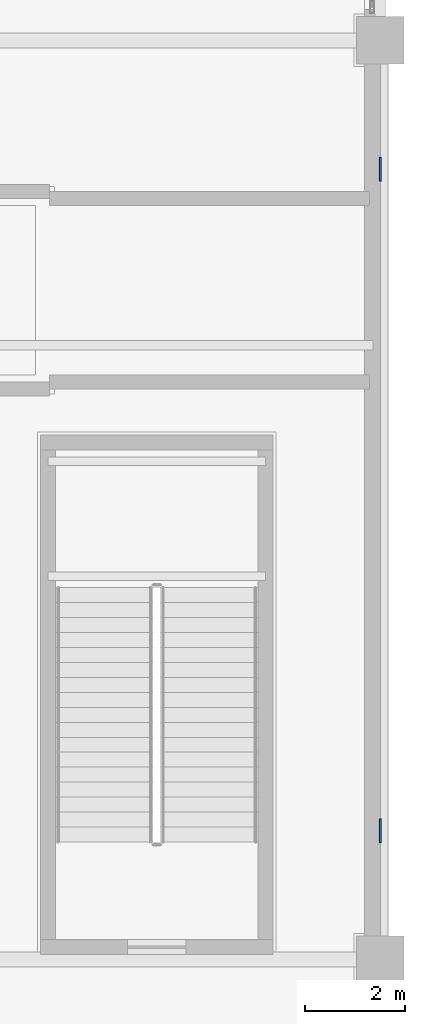
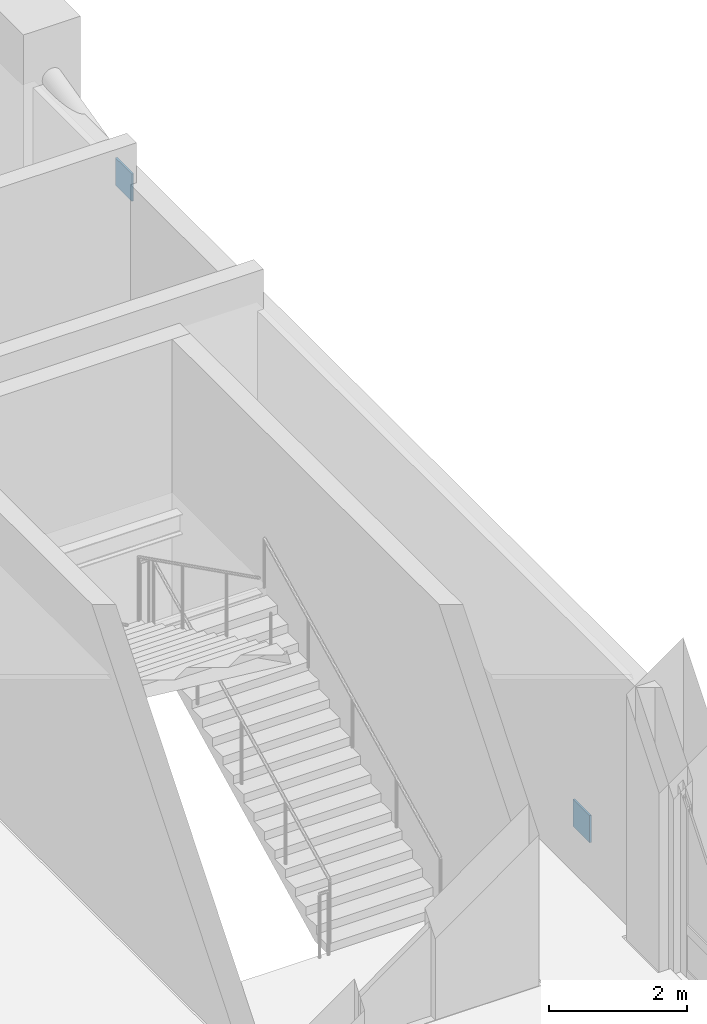
# One storey, part 26 of 39: 2 plates.
"""IFC4 building model written with IfcOpenShell, lengths in metres."""

import ifcopenshell
import ifcopenshell.guid

model = None  # the IFC model being written
_history = None  # IfcOwnerHistory: only IFC2X3 demands one
_inside = {}  # id of a spatial element -> (the spatial element, [elements in it])
_under = {}  # id of a project, library or spatial element -> (it, [spatial elements below it])
_declared = {}  # id of a project -> (the project, [libraries it declares])
_typed = {}  # id of a type object -> (the type object, [elements of that type])
_made_of = {}  # id of a material, layer set ... -> (it, [elements and type objects made of it])


def new_model(schema):
    """Start an empty IFC model of exactly this schema.

    Asked for "IFC4X3", IfcOpenShell would pick the latest addendum, in which some entities
    have other attributes; the version numbers below select the first issue.
    IFC2X3 requires an IfcOwnerHistory on every rooted entity: one is made here for all.
    """
    global model, _history
    if schema == "IFC4X3":
        model = ifcopenshell.file(schema_version=(4, 3, 0, 0))
    else:
        model = ifcopenshell.file(schema=schema)
    _inside.clear()
    _under.clear()
    _declared.clear()
    _typed.clear()
    _made_of.clear()
    _history = None
    if model.schema == "IFC2X3":
        org = make("IfcOrganization", Name="unknown")
        user = make(
            "IfcPersonAndOrganization",
            ThePerson=make("IfcPerson", FamilyName="unknown"),
            TheOrganization=org,
        )
        app = make(
            "IfcApplication",
            ApplicationDeveloper=org,
            Version="unknown",
            ApplicationFullName="unknown",
            ApplicationIdentifier="unknown",
        )
        _history = make(
            "IfcOwnerHistory",
            OwningUser=user,
            OwningApplication=app,
            ChangeAction="ADDED",
            CreationDate=0,
        )
    return model


def make(cls, **values):
    """One entity of the class cls with the attributes given. An attribute that is None is left unset."""
    return model.create_entity(
        cls, **{name: value for name, value in values.items() if value is not None}
    )


def rooted(cls, **values):
    """An entity with a GlobalId (a new one), such as an element, a storey or a relation."""
    return make(cls, GlobalId=ifcopenshell.guid.new(), OwnerHistory=_history, **values)


def si_unit(unit_type, name, prefix=None):
    """IfcSIUnit, for example si_unit("LENGTHUNIT", "METRE", prefix="MILLI")."""
    return make("IfcSIUnit", UnitType=unit_type, Prefix=prefix, Name=name)


def assignment(units):
    """IfcUnitAssignment: the units of a project."""
    return None if units is None else make("IfcUnitAssignment", Units=units)


def point(xyz):
    """IfcCartesianPoint."""
    return None if xyz is None else make("IfcCartesianPoint", Coordinates=xyz)


def direction(xyz):
    """IfcDirection."""
    return None if xyz is None else make("IfcDirection", DirectionRatios=xyz)


def frame(location, z_axis=None, x_axis=None):
    """IfcAxis2Placement3D, a coordinate frame: its origin and axes. An axis left out is left unset."""
    return make(
        "IfcAxis2Placement3D",
        Location=point(location),
        Axis=direction(z_axis),
        RefDirection=direction(x_axis),
    )


def frame_2d(location, x_axis=None):
    """IfcAxis2Placement2D, a coordinate frame in the plane: its origin and x axis."""
    return make(
        "IfcAxis2Placement2D", Location=point(location), RefDirection=direction(x_axis)
    )


def origin():
    """The frame at (0, 0, 0) with its axes left unset."""
    return frame((0.0, 0.0, 0.0))


def origin_2d():
    """The frame at (0, 0) in the plane with its x axis left unset."""
    return frame_2d((0.0, 0.0))


def place(relative_to, where):
    """IfcLocalPlacement: puts the frame where relative to a parent placement (None: the world)."""
    return make(
        "IfcLocalPlacement", PlacementRelTo=relative_to, RelativePlacement=where
    )


def context(
    kind, dimensions, precision=None, world=None, true_north=None, identifier=None
):
    """IfcGeometricRepresentationContext, for example the 3D "Model" context."""
    return make(
        "IfcGeometricRepresentationContext",
        ContextIdentifier=identifier,
        ContextType=kind,
        CoordinateSpaceDimension=dimensions,
        Precision=precision,
        WorldCoordinateSystem=world,
        TrueNorth=true_north,
    )


def subcontext(parent, identifier, kind, view, scale=None):
    """IfcGeometricRepresentationSubContext, for example "Body" below "Model"."""
    return make(
        "IfcGeometricRepresentationSubContext",
        ContextIdentifier=identifier,
        ContextType=kind,
        ParentContext=parent,
        TargetScale=scale,
        TargetView=view,
    )


def project(units=None, contexts=None):
    """IfcProject with its units and contexts."""
    return rooted(
        "IfcProject",
        Name="project",
        RepresentationContexts=contexts,
        UnitsInContext=assignment(units),
    )


def spatial(cls, under=None, at=None, **own):
    """A site, building, storey or space (cls), placed at a placement, below another one or the project."""
    s = rooted(cls, ObjectPlacement=at, **own)
    if under is not None:
        _under.setdefault(under.id(), (under, []))[1].append(s)
    return s


def profile(cls, at=None, kind="AREA", **sizes):
    """A parametric profile (cls). Its sizes go by their IFC names, for example OverallWidth=200.0."""
    return make(cls, ProfileType=kind, Position=at, **sizes)


def rectangle(**sizes):
    """IfcRectangleProfileDef."""
    return profile("IfcRectangleProfileDef", **sizes)


def extrude(swept, where, along, depth):
    """IfcExtrudedAreaSolid: the profile swept, set in the frame where, extruded along a direction by depth."""
    return make(
        "IfcExtrudedAreaSolid",
        SweptArea=swept,
        Position=where,
        ExtrudedDirection=direction(along),
        Depth=depth,
    )


def shape(context_of_items, identifier, shape_type, items):
    """IfcShapeRepresentation: the items that make up one representation, for example the "Body"."""
    return make(
        "IfcShapeRepresentation",
        ContextOfItems=context_of_items,
        RepresentationIdentifier=identifier,
        RepresentationType=shape_type,
        Items=items,
    )


def material(Name=None, Category=None):
    """IfcMaterial."""
    return make("IfcMaterial", Name=Name, Category=Category)


def layer(
    of_material, thickness, ventilated=None, Name=None, Category=None, Priority=None
):
    """IfcMaterialLayer: one layer of a wall or slab, of a material (None: an air gap)."""
    return make(
        "IfcMaterialLayer",
        Material=of_material,
        LayerThickness=thickness,
        IsVentilated=ventilated,
        Name=Name,
        Category=Category,
        Priority=Priority,
    )


def layer_set(layers, Name=None):
    """IfcMaterialLayerSet."""
    return make("IfcMaterialLayerSet", MaterialLayers=layers, LayerSetName=Name)


def made_of(thing, what):
    """Note that an element or type object is made of a material, layer set ...; save() writes the relation."""
    if what is not None:
        _made_of.setdefault(what.id(), (what, []))[1].append(thing)
    return thing


def type_object(cls, material=None, **own):
    """A type object (cls), such as IfcWallType, which elements share."""
    return made_of(rooted(cls, **own), material)


def element(
    cls,
    number,
    at=None,
    inside=None,
    cuts=None,
    type_object=None,
    material=None,
    context=None,
    identifier="Body",
    shape_type=None,
    held_by="IfcProductDefinitionShape",
    body=None,
    shapes=None,
    **own,
):
    """One element of the class cls, such as IfcWall. Its Tag is "e" and its number.

    at: its placement. inside: the storey or other place that contains it. cuts: it is an
    opening in that element (IfcRelVoidsElement). A single representation is given by context,
    identifier, shape_type and body (its items); several are given by shapes. held_by: the class
    of the entity that holds the representations. save() writes the other relations.
    """
    e = rooted(cls, Tag="e%d" % number, ObjectPlacement=at, **own)
    if body is not None:
        shapes = [shape(context, identifier, shape_type, body)]
    if shapes is not None:
        e.Representation = make(held_by, Representations=shapes)
    if inside is not None:
        _inside.setdefault(inside.id(), (inside, []))[1].append(e)
    if cuts is not None:
        rooted(
            "IfcRelVoidsElement", RelatingBuildingElement=cuts, RelatedOpeningElement=e
        )
    if type_object is not None:
        _typed.setdefault(type_object.id(), (type_object, []))[1].append(e)
    return made_of(e, material)


def aggregate(whole, parts):
    """IfcRelAggregates: a whole, such as a stair, and the parts it consists of."""
    return rooted("IfcRelAggregates", RelatingObject=whole, RelatedObjects=parts)


def save(model, path):
    """Write the relations noted so far, then the file.

    IfcRelAggregates (storeys below a building ...), IfcRelContainedInSpatialStructure (elements
    in a storey), IfcRelDefinesByType, IfcRelAssociatesMaterial and IfcRelDeclares: one each for
    every whole, place, type object, material and project.
    """
    for whole, parts in _under.values():
        aggregate(whole, parts)
    for where, things in _inside.values():
        rooted(
            "IfcRelContainedInSpatialStructure",
            RelatedElements=things,
            RelatingStructure=where,
        )
    for kind, things in _typed.values():
        rooted("IfcRelDefinesByType", RelatedObjects=things, RelatingType=kind)
    for what, things in _made_of.values():
        rooted("IfcRelAssociatesMaterial", RelatedObjects=things, RelatingMaterial=what)
    for by, libraries in _declared.values():
        rooted("IfcRelDeclares", RelatingContext=by, RelatedDefinitions=libraries)
    model.write(path)


model = new_model("IFC4")

# Units and contexts
model_context = context("Model", 3, precision=1e-05, world=origin(), true_north=direction((0.0, 1.0)))
body_context = subcontext(model_context, "Body", "Model", "MODEL_VIEW")
ifc_project = project(units=[si_unit("LENGTHUNIT", "METRE"), si_unit("AREAUNIT", "SQUARE_METRE"), si_unit("VOLUMEUNIT", "CUBIC_METRE"), si_unit("PLANEANGLEUNIT", "RADIAN"), si_unit("MASSUNIT", "GRAM", prefix="KILO")], contexts=[model_context])

# Site, building, storey
site_placement = place(None, origin())
site = spatial("IfcSite", under=ifc_project, at=site_placement, CompositionType="ELEMENT")
building_placement = place(site_placement, origin())
building = spatial("IfcBuilding", under=site, at=building_placement, Name="Punatoya Terracotta Tower", CompositionType="ELEMENT")
storey_placement = place(building_placement, frame((0.0, 0.0, 11.39990234375)))
storey = spatial("IfcBuildingStorey", under=building, at=storey_placement, Name="L02", CompositionType="ELEMENT", Elevation=11.39990234375)

# Plates
ifc_material = material(Name="Steel S460", Category="steel")
ifc_layer = layer(ifc_material, 0.031982421875)
ifc_layer_set = layer_set([ifc_layer], Name="Steel S460")
plate_type = type_object("IfcPlateType", Name="PLT-END-32", PredefinedType="USERDEFINED", material=ifc_layer_set)
for number, where, z_axis, x_axis, name in (
    (1, (37.0, -6.6240234375, 0.42138671875), (0.0, 0.0, 1.0), (1.0, 0.0, 0.0), "L02 Podium Brace PBR-2 End Connection Plate 1"),
    (2, (37.0, 6.6240234375, 3.718994140625), (0.0, 0.0, 1.0), (1.0, 0.0, 0.0), "L02 Podium Brace PBR-2 End Connection Plate 2"),
):
    element("IfcPlate", number, at=place(storey_placement, frame(where, z_axis=z_axis, x_axis=x_axis)), inside=storey, type_object=plate_type, Name=name, ObjectType="FLANGE_PLATE", PredefinedType="USERDEFINED", context=body_context, shape_type="SweptSolid", body=[
        extrude(rectangle(XDim=0.031982421875, YDim=0.47998046875, at=origin_2d()), origin(), (0.0, 0.0, 1.0), 0.47998046875),
    ])

save(model, "model.ifc")
